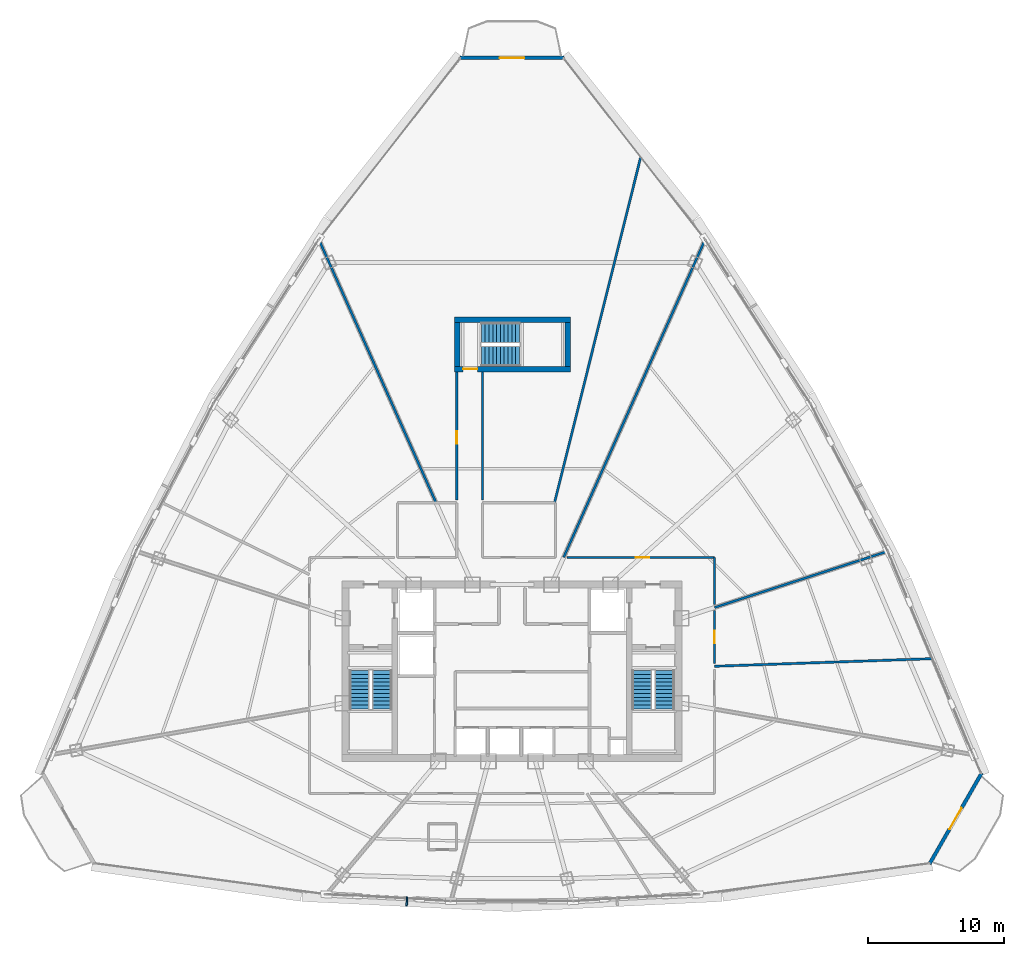
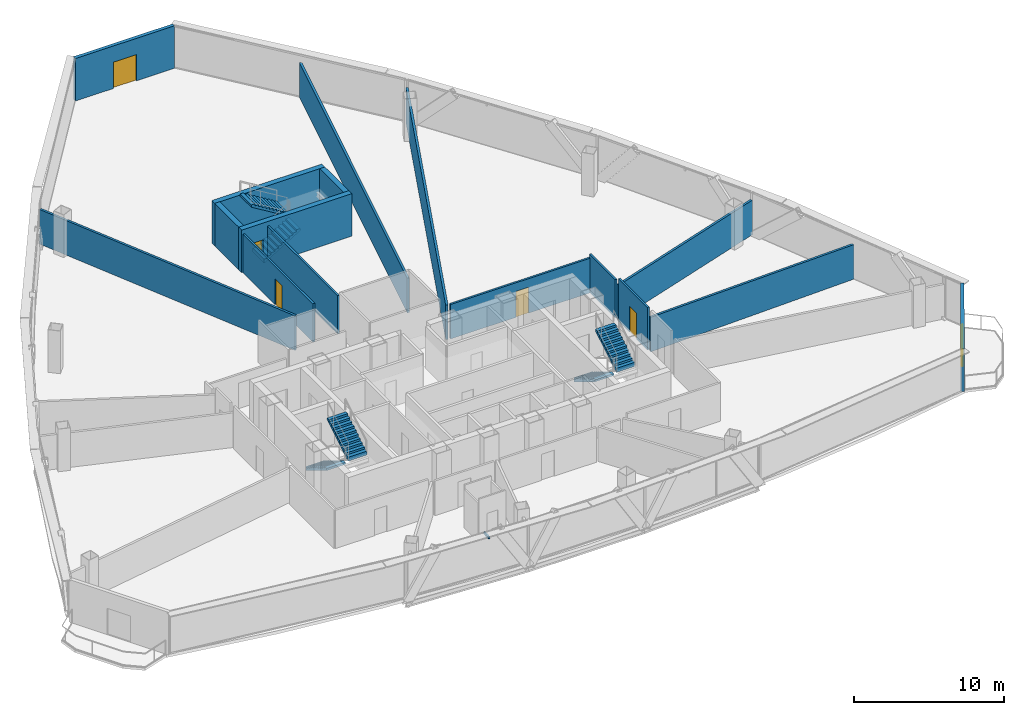
# One storey, part 32 of 37: 16 walls, 6 doors, 6 stair flights, 1 discrete accessory, 6 openings, 3 elements without a shape of their own.
"""IFC4 building model written with IfcOpenShell, lengths in metres."""

import ifcopenshell
import ifcopenshell.guid

model = None  # the IFC model being written
_history = None  # IfcOwnerHistory: only IFC2X3 demands one
_inside = {}  # id of a spatial element -> (the spatial element, [elements in it])
_under = {}  # id of a project, library or spatial element -> (it, [spatial elements below it])
_declared = {}  # id of a project -> (the project, [libraries it declares])
_typed = {}  # id of a type object -> (the type object, [elements of that type])
_made_of = {}  # id of a material, layer set ... -> (it, [elements and type objects made of it])


def new_model(schema):
    """Start an empty IFC model of exactly this schema.

    Asked for "IFC4X3", IfcOpenShell would pick the latest addendum, in which some entities
    have other attributes; the version numbers below select the first issue.
    IFC2X3 requires an IfcOwnerHistory on every rooted entity: one is made here for all.
    """
    global model, _history
    if schema == "IFC4X3":
        model = ifcopenshell.file(schema_version=(4, 3, 0, 0))
    else:
        model = ifcopenshell.file(schema=schema)
    _inside.clear()
    _under.clear()
    _declared.clear()
    _typed.clear()
    _made_of.clear()
    _history = None
    if model.schema == "IFC2X3":
        org = make("IfcOrganization", Name="unknown")
        user = make(
            "IfcPersonAndOrganization",
            ThePerson=make("IfcPerson", FamilyName="unknown"),
            TheOrganization=org,
        )
        app = make(
            "IfcApplication",
            ApplicationDeveloper=org,
            Version="unknown",
            ApplicationFullName="unknown",
            ApplicationIdentifier="unknown",
        )
        _history = make(
            "IfcOwnerHistory",
            OwningUser=user,
            OwningApplication=app,
            ChangeAction="ADDED",
            CreationDate=0,
        )
    return model


def make(cls, **values):
    """One entity of the class cls with the attributes given. An attribute that is None is left unset."""
    return model.create_entity(
        cls, **{name: value for name, value in values.items() if value is not None}
    )


def rooted(cls, **values):
    """An entity with a GlobalId (a new one), such as an element, a storey or a relation."""
    return make(cls, GlobalId=ifcopenshell.guid.new(), OwnerHistory=_history, **values)


def si_unit(unit_type, name, prefix=None):
    """IfcSIUnit, for example si_unit("LENGTHUNIT", "METRE", prefix="MILLI")."""
    return make("IfcSIUnit", UnitType=unit_type, Prefix=prefix, Name=name)


def assignment(units):
    """IfcUnitAssignment: the units of a project."""
    return None if units is None else make("IfcUnitAssignment", Units=units)


def point(xyz):
    """IfcCartesianPoint."""
    return None if xyz is None else make("IfcCartesianPoint", Coordinates=xyz)


def direction(xyz):
    """IfcDirection."""
    return None if xyz is None else make("IfcDirection", DirectionRatios=xyz)


def frame(location, z_axis=None, x_axis=None):
    """IfcAxis2Placement3D, a coordinate frame: its origin and axes. An axis left out is left unset."""
    return make(
        "IfcAxis2Placement3D",
        Location=point(location),
        Axis=direction(z_axis),
        RefDirection=direction(x_axis),
    )


def frame_2d(location, x_axis=None):
    """IfcAxis2Placement2D, a coordinate frame in the plane: its origin and x axis."""
    return make(
        "IfcAxis2Placement2D", Location=point(location), RefDirection=direction(x_axis)
    )


def origin():
    """The frame at (0, 0, 0) with its axes left unset."""
    return frame((0.0, 0.0, 0.0))


def origin_with_axes():
    """The frame at (0, 0, 0) with the z axis (0, 0, 1) and the x axis (1, 0, 0) written out."""
    return frame((0.0, 0.0, 0.0), z_axis=(0.0, 0.0, 1.0), x_axis=(1.0, 0.0, 0.0))


def origin_2d():
    """The frame at (0, 0) in the plane with its x axis left unset."""
    return frame_2d((0.0, 0.0))


def place(relative_to, where):
    """IfcLocalPlacement: puts the frame where relative to a parent placement (None: the world)."""
    return make(
        "IfcLocalPlacement", PlacementRelTo=relative_to, RelativePlacement=where
    )


def context(
    kind, dimensions, precision=None, world=None, true_north=None, identifier=None
):
    """IfcGeometricRepresentationContext, for example the 3D "Model" context."""
    return make(
        "IfcGeometricRepresentationContext",
        ContextIdentifier=identifier,
        ContextType=kind,
        CoordinateSpaceDimension=dimensions,
        Precision=precision,
        WorldCoordinateSystem=world,
        TrueNorth=true_north,
    )


def subcontext(parent, identifier, kind, view, scale=None):
    """IfcGeometricRepresentationSubContext, for example "Body" below "Model"."""
    return make(
        "IfcGeometricRepresentationSubContext",
        ContextIdentifier=identifier,
        ContextType=kind,
        ParentContext=parent,
        TargetScale=scale,
        TargetView=view,
    )


def project(units=None, contexts=None):
    """IfcProject with its units and contexts."""
    return rooted(
        "IfcProject",
        Name="project",
        RepresentationContexts=contexts,
        UnitsInContext=assignment(units),
    )


def spatial(cls, under=None, at=None, **own):
    """A site, building, storey or space (cls), placed at a placement, below another one or the project."""
    s = rooted(cls, ObjectPlacement=at, **own)
    if under is not None:
        _under.setdefault(under.id(), (under, []))[1].append(s)
    return s


def polyline(points):
    """IfcPolyline through the points."""
    return make("IfcPolyline", Points=[point(p) for p in points])


def profile(cls, at=None, kind="AREA", **sizes):
    """A parametric profile (cls). Its sizes go by their IFC names, for example OverallWidth=200.0."""
    return make(cls, ProfileType=kind, Position=at, **sizes)


def rectangle(**sizes):
    """IfcRectangleProfileDef."""
    return profile("IfcRectangleProfileDef", **sizes)


def outline(outer, holes=None, kind="AREA"):
    """IfcArbitraryClosedProfileDef: a profile drawn as a closed curve; with holes, ...WithVoids."""
    if holes is None:
        return make("IfcArbitraryClosedProfileDef", ProfileType=kind, OuterCurve=outer)
    return make(
        "IfcArbitraryProfileDefWithVoids",
        ProfileType=kind,
        OuterCurve=outer,
        InnerCurves=holes,
    )


def extrude(swept, where, along, depth):
    """IfcExtrudedAreaSolid: the profile swept, set in the frame where, extruded along a direction by depth."""
    return make(
        "IfcExtrudedAreaSolid",
        SweptArea=swept,
        Position=where,
        ExtrudedDirection=direction(along),
        Depth=depth,
    )


def shape(context_of_items, identifier, shape_type, items):
    """IfcShapeRepresentation: the items that make up one representation, for example the "Body"."""
    return make(
        "IfcShapeRepresentation",
        ContextOfItems=context_of_items,
        RepresentationIdentifier=identifier,
        RepresentationType=shape_type,
        Items=items,
    )


def source(mapping_origin, context_of_items, identifier, shape_type, items):
    """IfcRepresentationMap: a shape defined once, which mapped items show again and again."""
    return make(
        "IfcRepresentationMap",
        MappingOrigin=mapping_origin,
        MappedRepresentation=shape(context_of_items, identifier, shape_type, items),
    )


def transform(
    local_origin,
    x_axis=None,
    y_axis=None,
    z_axis=None,
    scale=None,
    scale2=None,
    scale3=None,
    uniform=True,
):
    """IfcCartesianTransformationOperator3D, or its non-uniform kind. x_axis, y_axis, z_axis: its Axis1, 2, 3."""
    if uniform:
        return make(
            "IfcCartesianTransformationOperator3D",
            Axis1=direction(x_axis),
            Axis2=direction(y_axis),
            LocalOrigin=point(local_origin),
            Scale=scale,
            Axis3=direction(z_axis),
        )
    return make(
        "IfcCartesianTransformationOperator3DnonUniform",
        Axis1=direction(x_axis),
        Axis2=direction(y_axis),
        LocalOrigin=point(local_origin),
        Scale=scale,
        Axis3=direction(z_axis),
        Scale2=scale2,
        Scale3=scale3,
    )


def mapped(mapping_source, mapping_target):
    """IfcMappedItem: shows the shape of a source again, moved by a transform."""
    return make(
        "IfcMappedItem", MappingSource=mapping_source, MappingTarget=mapping_target
    )


def material(Name=None, Category=None):
    """IfcMaterial."""
    return make("IfcMaterial", Name=Name, Category=Category)


def layer(
    of_material, thickness, ventilated=None, Name=None, Category=None, Priority=None
):
    """IfcMaterialLayer: one layer of a wall or slab, of a material (None: an air gap)."""
    return make(
        "IfcMaterialLayer",
        Material=of_material,
        LayerThickness=thickness,
        IsVentilated=ventilated,
        Name=Name,
        Category=Category,
        Priority=Priority,
    )


def layer_set(layers, Name=None):
    """IfcMaterialLayerSet."""
    return make("IfcMaterialLayerSet", MaterialLayers=layers, LayerSetName=Name)


def made_of(thing, what):
    """Note that an element or type object is made of a material, layer set ...; save() writes the relation."""
    if what is not None:
        _made_of.setdefault(what.id(), (what, []))[1].append(thing)
    return thing


def type_object(cls, material=None, **own):
    """A type object (cls), such as IfcWallType, which elements share."""
    return made_of(rooted(cls, **own), material)


def element(
    cls,
    number,
    at=None,
    inside=None,
    cuts=None,
    type_object=None,
    material=None,
    context=None,
    identifier="Body",
    shape_type=None,
    held_by="IfcProductDefinitionShape",
    body=None,
    shapes=None,
    **own,
):
    """One element of the class cls, such as IfcWall. Its Tag is "e" and its number.

    at: its placement. inside: the storey or other place that contains it. cuts: it is an
    opening in that element (IfcRelVoidsElement). A single representation is given by context,
    identifier, shape_type and body (its items); several are given by shapes. held_by: the class
    of the entity that holds the representations. save() writes the other relations.
    """
    e = rooted(cls, Tag="e%d" % number, ObjectPlacement=at, **own)
    if body is not None:
        shapes = [shape(context, identifier, shape_type, body)]
    if shapes is not None:
        e.Representation = make(held_by, Representations=shapes)
    if inside is not None:
        _inside.setdefault(inside.id(), (inside, []))[1].append(e)
    if cuts is not None:
        rooted(
            "IfcRelVoidsElement", RelatingBuildingElement=cuts, RelatedOpeningElement=e
        )
    if type_object is not None:
        _typed.setdefault(type_object.id(), (type_object, []))[1].append(e)
    return made_of(e, material)


def fill(opening, filler):
    """IfcRelFillsElement: the door or window that sits in an opening."""
    return rooted(
        "IfcRelFillsElement",
        RelatingOpeningElement=opening,
        RelatedBuildingElement=filler,
    )


def aggregate(whole, parts):
    """IfcRelAggregates: a whole, such as a stair, and the parts it consists of."""
    return rooted("IfcRelAggregates", RelatingObject=whole, RelatedObjects=parts)


def save(model, path):
    """Write the relations noted so far, then the file.

    IfcRelAggregates (storeys below a building ...), IfcRelContainedInSpatialStructure (elements
    in a storey), IfcRelDefinesByType, IfcRelAssociatesMaterial and IfcRelDeclares: one each for
    every whole, place, type object, material and project.
    """
    for whole, parts in _under.values():
        aggregate(whole, parts)
    for where, things in _inside.values():
        rooted(
            "IfcRelContainedInSpatialStructure",
            RelatedElements=things,
            RelatingStructure=where,
        )
    for kind, things in _typed.values():
        rooted("IfcRelDefinesByType", RelatedObjects=things, RelatingType=kind)
    for what, things in _made_of.values():
        rooted("IfcRelAssociatesMaterial", RelatedObjects=things, RelatingMaterial=what)
    for by, libraries in _declared.values():
        rooted("IfcRelDeclares", RelatingContext=by, RelatedDefinitions=libraries)
    model.write(path)


model = new_model("IFC4")

# Units and contexts
model_context = context("Model", 3, precision=1e-05, world=origin(), true_north=direction((0.0, 1.0)))
body_context = subcontext(model_context, "Body", "Model", "MODEL_VIEW")
ifc_project = project(units=[si_unit("LENGTHUNIT", "METRE"), si_unit("AREAUNIT", "SQUARE_METRE"), si_unit("VOLUMEUNIT", "CUBIC_METRE"), si_unit("PLANEANGLEUNIT", "RADIAN"), si_unit("MASSUNIT", "GRAM", prefix="KILO"), si_unit("THERMODYNAMICTEMPERATUREUNIT", "KELVIN"), si_unit("POWERUNIT", "WATT")], contexts=[model_context])

# Site, building, storey
site_placement = place(None, origin())
site = spatial("IfcSite", under=ifc_project, at=site_placement, CompositionType="ELEMENT")
building_placement = place(site_placement, origin())
building = spatial("IfcBuilding", under=site, at=building_placement, Name="Yunzhuo Pagoda Commons", CompositionType="ELEMENT")
storey_placement = place(building_placement, frame((0.0, 0.0, 255.719970703125)))
storey = spatial("IfcBuildingStorey", under=building, at=storey_placement, Name="L64", CompositionType="ELEMENT", Elevation=255.719970703125)

# Wall, opening, door
ifc_material_1 = material(Name="Precast concrete C40", Category="concrete")
ifc_layer_1 = layer(ifc_material_1, 0.260009765625)
ifc_layer_set_1 = layer_set([ifc_layer_1], Name="Precast concrete C40")
wall_type_1 = type_object("IfcWallType", Name="W-BAL1 Corner Balcony Threshold Wall 260", PredefinedType="STANDARD", material=ifc_layer_set_1)
wall_1_placement = place(storey_placement, frame((78.593017578125, 19.728515625, 0.0), z_axis=(0.0, 0.0, 1.0), x_axis=(0.497934343816, 0.867214730761, 0.0)))
wall_1 = element("IfcWall", 1, at=wall_1_placement, inside=storey, type_object=wall_type_1, Name="L64 corner balcony wall V2", PredefinedType="STANDARD", context=body_context, shape_type="SweptSolid", body=[
    extrude(rectangle(XDim=7.68359375, YDim=0.260009765625, at=frame_2d((3.841796875, 0.0))), origin(), (0.0, 0.0, 1.0), 3.469970703125),
])
opening_1_placement = place(wall_1_placement, frame((2.94189453125, 0.0, 0.0)))
opening_1 = element("IfcOpeningElement", 2, at=opening_1_placement, cuts=wall_1, Name="Opening D-BAL1", PredefinedType="OPENING", context=body_context, shape_type="SweptSolid", body=[
    extrude(rectangle(XDim=1.800048828125, YDim=2.14990234375, at=frame_2d((0.89990234375, 1.074951171875))), frame((0.0, 0.14013671875, 0.0), z_axis=(0.0, -1.0, 0.0), x_axis=(1.0, 0.0, 0.0)), (0.0, 0.0, 1.0), 0.280029296875),
])
ifc_material_2 = material(Name="Anodized aluminium frame and tempered glazed leaf", Category="aluminium")
door_type_1 = type_object("IfcDoorType", Name="D-BAL1 Corner Balcony Sliding Glazed Door 1800x2150", OperationType="DOUBLE_DOOR_SLIDING", PredefinedType="DOOR", material=ifc_material_2)
shared_shape_1 = source(origin(), body_context, "Body", "SweptSolid", [
    extrude(rectangle(XDim=1.800048828125, YDim=2.14990234375, at=frame_2d((0.89990234375, 1.074951171875))), frame((0.0, 0.02490234375, 0.0), z_axis=(0.0, -1.0, 0.0), x_axis=(1.0, 0.0, 0.0)), (0.0, 0.0, 1.0), 0.050048828125),
])
door_1_placement = place(opening_1_placement, origin_with_axes())
door_1 = element("IfcDoor", 3, at=door_1_placement, inside=storey, type_object=door_type_1, Name="L64 corner balcony sliding door V2", OperationType="DOUBLE_DOOR_SLIDING", OverallHeight=2.14990234375, OverallWidth=1.800048828125, PredefinedType="DOOR", context=body_context, shape_type="MappedRepresentation", body=[
    mapped(shared_shape_1, transform((0.0, 0.0, 0.0), scale=1.0)),
])
fill(opening_1, door_1)

wall_2_placement = place(storey_placement, frame((51.826416015625, 78.797119140625, 0.0), z_axis=(0.0, 0.0, 1.0), x_axis=(-1.0, 0.0, 0.0)))
wall_2 = element("IfcWall", 4, at=wall_2_placement, inside=storey, type_object=wall_type_1, Name="L64 corner balcony wall V3", PredefinedType="STANDARD", context=body_context, shape_type="SweptSolid", body=[
    extrude(rectangle(XDim=7.65283203125, YDim=0.260009765625, at=frame_2d((3.826416015625, 0.0))), origin(), (0.0, 0.0, 1.0), 3.469970703125),
])
opening_2_placement = place(wall_2_placement, frame((2.926513671875, 0.0, 0.0)))
opening_2 = element("IfcOpeningElement", 5, at=opening_2_placement, cuts=wall_2, Name="Opening D-BAL1", PredefinedType="OPENING", context=body_context, shape_type="SweptSolid", body=[
    extrude(rectangle(XDim=1.800048828125, YDim=2.14990234375, at=frame_2d((0.89990234375, 1.074951171875))), frame((0.0, 0.14013671875, 0.0), z_axis=(0.0, -1.0, 0.0), x_axis=(1.0, 0.0, 0.0)), (0.0, 0.0, 1.0), 0.280029296875),
])
door_2_placement = place(opening_2_placement, origin_with_axes())
door_2 = element("IfcDoor", 6, at=door_2_placement, inside=storey, type_object=door_type_1, Name="L64 corner balcony sliding door V3", OperationType="DOUBLE_DOOR_SLIDING", OverallHeight=2.14990234375, OverallWidth=1.800048828125, PredefinedType="DOOR", context=body_context, shape_type="MappedRepresentation", body=[
    mapped(shared_shape_1, transform((0.0, 0.0, 0.0), scale=1.0)),
])
fill(opening_2, door_2)

ifc_material_3 = material(Name="Gypsum plasterboard on acoustic stud")
ifc_layer_2 = layer(ifc_material_3, 0.14990234375)
ifc_layer_set_2 = layer_set([ifc_layer_2], Name="Gypsum plasterboard on acoustic stud")
wall_type_2 = type_object("IfcWallType", Name="W-COR3 High-Zone Rated Corridor Wall 150", PredefinedType="PARTITIONING", material=ifc_layer_set_2)
wall_3_placement = place(storey_placement, frame((43.949951171875, 46.419921875, 0.0), z_axis=(0.0, 0.0, 1.0), x_axis=(0.0, 1.0, 0.0)))
wall_3 = element("IfcWall", 7, at=wall_3_placement, inside=storey, type_object=wall_type_2, Name="L64 interior wall IW-L64-CWL06", PredefinedType="PARTITIONING", context=body_context, shape_type="SweptSolid", body=[
    extrude(rectangle(XDim=9.360107421875, YDim=0.14990234375, at=frame_2d((4.68017578125, 0.0))), origin(), (0.0, 0.0, 1.0), 3.1201171875),
])
opening_3_placement = place(wall_3_placement, frame((4.110107421875, 0.0, 0.0)))
opening_3 = element("IfcOpeningElement", 8, at=opening_3_placement, cuts=wall_3, Name="Opening D-04", PredefinedType="OPENING", context=body_context, shape_type="SweptSolid", body=[
    extrude(rectangle(XDim=0.919921875, YDim=2.10009765625, at=frame_2d((0.4599609375, 1.050048828125))), frame((0.0, 0.0849609375, 0.0), z_axis=(0.0, -1.0, 0.0), x_axis=(1.0, 0.0, 0.0)), (0.0, 0.0, 1.0), 0.169921875),
])
ifc_material_4 = material(Name="Powder-coated aluminium and timber acoustic leaf", Category="wood")
door_type_2 = type_object("IfcDoorType", Name="D-04 Bedroom & Study Interior Door 920x2100", OperationType="NOTDEFINED", PredefinedType="DOOR", material=ifc_material_4)
shared_shape_2 = source(origin(), body_context, "Body", "SweptSolid", [
    extrude(rectangle(XDim=0.919921875, YDim=2.10009765625, at=frame_2d((0.4599609375, 1.050048828125))), frame((0.0, 0.02490234375, 0.0), z_axis=(0.0, -1.0, 0.0), x_axis=(1.0, 0.0, 0.0)), (0.0, 0.0, 1.0), 0.050048828125),
])
door_3_placement = place(opening_3_placement, origin_with_axes())
door_3 = element("IfcDoor", 9, at=door_3_placement, inside=storey, type_object=door_type_2, Name="L64 seminar room 04 door", OperationType="SINGLE_SWING_RIGHT", OverallHeight=2.10009765625, OverallWidth=0.919921875, PredefinedType="DOOR", context=body_context, shape_type="MappedRepresentation", body=[
    mapped(shared_shape_2, transform((0.0, 0.0, 0.0), scale=1.0)),
])
fill(opening_3, door_3)

# Wall
wall_4_placement = place(storey_placement, frame((45.85009765625, 55.780029296875, 0.0), z_axis=(0.0, 0.0, 1.0), x_axis=(0.0, -1.0, 0.0)))
element("IfcWall", 10, at=wall_4_placement, inside=storey, type_object=wall_type_2, Name="L64 interior wall IW-L64-CWL07", PredefinedType="PARTITIONING", context=body_context, shape_type="SweptSolid", body=[
    extrude(rectangle(XDim=9.360107421875, YDim=0.14990234375, at=frame_2d((4.68017578125, 0.0))), origin(), (0.0, 0.0, 1.0), 3.1201171875),
])

# Wall, opening, door
wall_5_placement = place(storey_placement, frame((52.025146484375, 42.199951171875, 0.0), z_axis=(0.0, 0.0, 1.0), x_axis=(1.0, 0.0, 0.0)))
wall_5 = element("IfcWall", 11, at=wall_5_placement, inside=storey, type_object=wall_type_2, Name="L64 interior wall IW-L64-CWL08", PredefinedType="PARTITIONING", context=body_context, shape_type="SweptSolid", body=[
    extrude(rectangle(XDim=10.824951171875, YDim=0.14990234375, at=frame_2d((5.41259765625, 0.0))), origin(), (0.0, 0.0, 1.0), 2.820068359375),
])
opening_4_placement = place(wall_5_placement, frame((5.047119140625, 0.0, 0.0)))
opening_4 = element("IfcOpeningElement", 12, at=opening_4_placement, cuts=wall_5, Name="Opening D-08", PredefinedType="OPENING", context=body_context, shape_type="SweptSolid", body=[
    extrude(rectangle(XDim=0.97998046875, YDim=2.1201171875, at=frame_2d((0.489990234375, 1.06005859375))), frame((0.0, 0.0849609375, 0.0), z_axis=(0.0, -1.0, 0.0), x_axis=(1.0, 0.0, 0.0)), (0.0, 0.0, 1.0), 0.169921875),
])
ifc_material_5 = material(Name="Galvanized fire-resisting metal leaf")
door_type_3 = type_object("IfcDoorType", Name="D-08 High-Zone Suite Entrance Fire Door 980x2120", OperationType="NOTDEFINED", PredefinedType="DOOR", material=ifc_material_5)
shared_shape_3 = source(origin(), body_context, "Body", "SweptSolid", [
    extrude(rectangle(XDim=0.97998046875, YDim=2.1201171875, at=frame_2d((0.489990234375, 1.06005859375))), frame((0.0, 0.02490234375, 0.0), z_axis=(0.0, -1.0, 0.0), x_axis=(1.0, 0.0, 0.0)), (0.0, 0.0, 1.0), 0.050048828125),
])
door_4_placement = place(opening_4_placement, origin_with_axes())
door_4 = element("IfcDoor", 13, at=door_4_placement, inside=storey, type_object=door_type_3, Name="L64 Shared Resident Kitchen and Pantry door", OperationType="SINGLE_SWING_RIGHT", OverallHeight=2.1201171875, OverallWidth=0.97998046875, PredefinedType="DOOR", context=body_context, shape_type="MappedRepresentation", body=[
    mapped(shared_shape_3, transform((0.0, 0.0, 0.0), scale=1.0)),
])
fill(opening_4, door_4)

# Wall
wall_6_placement = place(storey_placement, frame((62.85009765625, 42.199951171875, 0.0), z_axis=(0.0, 0.0, 1.0), x_axis=(0.0, -1.0, 0.0)))
element("IfcWall", 14, at=wall_6_placement, inside=storey, type_object=wall_type_2, Name="L64 interior wall IW-L64-CWL09", PredefinedType="PARTITIONING", context=body_context, shape_type="SweptSolid", body=[
    extrude(rectangle(XDim=3.443603515625, YDim=0.14990234375, at=frame_2d((1.7216796875, 0.0))), origin(), (0.0, 0.0, 1.0), 3.1201171875),
])

# Wall, opening, door
wall_7_placement = place(storey_placement, frame((62.85009765625, 38.305419921875, 0.0), z_axis=(0.0, 0.0, 1.0), x_axis=(0.0, -1.0, 0.0)))
wall_7 = element("IfcWall", 15, at=wall_7_placement, inside=storey, type_object=wall_type_2, Name="L64 interior wall IW-L64-CWL10", PredefinedType="PARTITIONING", context=body_context, shape_type="SweptSolid", body=[
    extrude(rectangle(XDim=3.86669921875, YDim=0.14990234375, at=frame_2d((1.933349609375, 0.0))), origin(), (0.0, 0.0, 1.0), 3.469970703125),
])
opening_5_placement = place(wall_7_placement, frame((1.473388671875, 0.0, 0.0)))
opening_5 = element("IfcOpeningElement", 16, at=opening_5_placement, cuts=wall_7, Name="Opening D-04", PredefinedType="OPENING", context=body_context, shape_type="SweptSolid", body=[
    extrude(rectangle(XDim=0.919921875, YDim=2.10009765625, at=frame_2d((0.4599609375, 1.050048828125))), frame((0.0, 0.0849609375, 0.0), z_axis=(0.0, -1.0, 0.0), x_axis=(1.0, 0.0, 0.0)), (0.0, 0.0, 1.0), 0.169921875),
])
door_5_placement = place(opening_5_placement, origin_with_axes())
door_5 = element("IfcDoor", 17, at=door_5_placement, inside=storey, type_object=door_type_2, Name="L64 seminar room 01 door", OperationType="SINGLE_SWING_LEFT", OverallHeight=2.10009765625, OverallWidth=0.919921875, PredefinedType="DOOR", context=body_context, shape_type="MappedRepresentation", body=[
    mapped(shared_shape_2, transform((0.0, 0.0, 0.0), scale=1.0)),
])
fill(opening_5, door_5)

# Walls
ifc_layer_3 = layer(ifc_material_3, 0.169921875)
ifc_layer_set_3 = layer_set([ifc_layer_3], Name="Gypsum plasterboard on acoustic stud")
wall_type_3 = type_object("IfcWallType", Name="W-PRT4 High-Zone Demising Wall 170", PredefinedType="PARTITIONING", material=ifc_layer_set_3)
wall_8_placement = place(storey_placement, frame((62.85009765625, 34.218505859375, 0.0), z_axis=(0.0, 0.0, 1.0), x_axis=(0.99939049717, 0.034908941063, 0.0)))
element("IfcWall", 18, at=wall_8_placement, inside=storey, type_object=wall_type_3, Name="L64 interior wall IW-L64-RAD01", PredefinedType="PARTITIONING", context=body_context, shape_type="SweptSolid", body=[
    extrude(rectangle(XDim=16.00146484375, YDim=0.169921875, at=frame_2d((8.000732421875, 0.0))), origin(), (0.0, 0.0, 1.0), 2.820068359375),
])
wall_9_placement = place(storey_placement, frame((62.85009765625, 38.525146484375, 0.0), z_axis=(0.0, 0.0, 1.0), x_axis=(0.951055435747, 0.30902031994, 0.0)))
element("IfcWall", 19, at=wall_9_placement, inside=storey, type_object=wall_type_3, Name="L64 interior wall IW-L64-RAD02", PredefinedType="PARTITIONING", context=body_context, shape_type="SweptSolid", body=[
    extrude(rectangle(XDim=13.349365234375, YDim=0.169921875, at=frame_2d((6.6748046875, 0.0))), origin(), (0.0, 0.0, 1.0), 2.820068359375),
])
wall_10_placement = place(storey_placement, frame((51.784423828125, 42.199951171875, 0.0), z_axis=(0.0, 0.0, 1.0), x_axis=(0.406736188948, 0.913545659833, 0.0)))
element("IfcWall", 20, at=wall_10_placement, inside=storey, type_object=wall_type_3, Name="L64 interior wall IW-L64-RAD03", PredefinedType="PARTITIONING", context=body_context, shape_type="SweptSolid", body=[
    extrude(rectangle(XDim=25.501220703125, YDim=0.169921875, at=frame_2d((12.75048828125, 0.0))), origin(), (0.0, 0.0, 1.0), 2.820068359375),
])
wall_11_placement = place(storey_placement, frame((51.11669921875, 46.199951171875, 0.0), z_axis=(0.0, 0.0, 1.0), x_axis=(0.241915360039, 0.970297355751, 0.0)))
element("IfcWall", 21, at=wall_11_placement, inside=storey, type_object=wall_type_3, Name="L64 interior wall IW-L64-RAD04", PredefinedType="PARTITIONING", context=body_context, shape_type="SweptSolid", body=[
    extrude(rectangle(XDim=26.119140625, YDim=0.169921875, at=frame_2d((13.0595703125, 0.0))), origin(), (0.0, 0.0, 1.0), 2.820068359375),
])
wall_12_placement = place(storey_placement, frame((42.4345703125, 46.199951171875, 0.0), z_axis=(0.0, 0.0, 1.0), x_axis=(-0.406732494706, 0.913547304605, 0.0)))
element("IfcWall", 22, at=wall_12_placement, inside=storey, type_object=wall_type_3, Name="L64 interior wall IW-L64-RAD05", PredefinedType="PARTITIONING", context=body_context, shape_type="SweptSolid", body=[
    extrude(rectangle(XDim=21.122802734375, YDim=0.169921875, at=frame_2d((10.5615234375, 0.0))), origin(), (0.0, 0.0, 1.0), 2.820068359375),
])
ifc_material_6 = material(Name="Concrete C60", Category="concrete")
ifc_layer_4 = layer(ifc_material_6, 0.39990234375)
ifc_layer_set_4 = layer_set([ifc_layer_4], Name="Concrete C60")
wall_type_4 = type_object("IfcWallType", Name="W-S01 Internal Core Shear Web 400", PredefinedType="SHEAR", material=ifc_layer_set_4)
wall_13_placement = place(storey_placement, frame((43.800048828125, 59.60009765625, 0.0), z_axis=(0.0, 0.0, 1.0), x_axis=(1.0, 0.0, 0.0)))
element("IfcWall", 23, at=wall_13_placement, inside=storey, type_object=wall_type_4, Name="L64 ST3 structural stair wall N", PredefinedType="SHEAR", context=body_context, shape_type="SweptSolid", body=[
    extrude(rectangle(XDim=8.5, YDim=0.39990234375, at=frame_2d((4.25, 0.0))), origin(), (0.0, 0.0, 1.0), 3.469970703125),
])

# Wall, opening, door
wall_14_placement = place(storey_placement, frame((43.800048828125, 56.0, 0.0), z_axis=(0.0, 0.0, 1.0), x_axis=(1.0, 0.0, 0.0)))
wall_14 = element("IfcWall", 24, at=wall_14_placement, inside=storey, type_object=wall_type_4, Name="L64 ST3 structural stair wall S", PredefinedType="SHEAR", context=body_context, shape_type="SweptSolid", body=[
    extrude(rectangle(XDim=8.5, YDim=0.39990234375, at=frame_2d((4.25, 0.0))), origin(), (0.0, 0.0, 1.0), 3.469970703125),
])
opening_6_placement = place(wall_14_placement, frame((0.6201171875, 0.0, 0.0)))
opening_6 = element("IfcOpeningElement", 25, at=opening_6_placement, cuts=wall_14, Name="Opening D-01", PredefinedType="OPENING", context=body_context, shape_type="SweptSolid", body=[
    extrude(rectangle(XDim=1.050048828125, YDim=2.10009765625, at=frame_2d((0.52490234375, 1.050048828125))), frame((0.0, 0.2099609375, 0.0), z_axis=(0.0, -1.0, 0.0), x_axis=(1.0, 0.0, 0.0)), (0.0, 0.0, 1.0), 0.419921875),
])
door_type_4 = type_object("IfcDoorType", Name="D-01 Smokeproof Stair Fire Door 1050x2100", OperationType="NOTDEFINED", PredefinedType="DOOR", material=ifc_material_5)
shared_shape_4 = source(origin(), body_context, "Body", "SweptSolid", [
    extrude(rectangle(XDim=1.050048828125, YDim=2.10009765625, at=frame_2d((0.52490234375, 1.050048828125))), frame((0.0, 0.02490234375, 0.0), z_axis=(0.0, -1.0, 0.0), x_axis=(1.0, 0.0, 0.0)), (0.0, 0.0, 1.0), 0.050048828125),
])
door_6_placement = place(opening_6_placement, frame((1.050048828125, 0.0, 0.0), z_axis=(0.0, 0.0, 1.0), x_axis=(-1.0, 0.0, 0.0)))
door_6 = element("IfcDoor", 26, at=door_6_placement, inside=storey, type_object=door_type_4, Name="L64 Stair ST3 fire door", OperationType="SINGLE_SWING_LEFT", OverallHeight=2.10009765625, OverallWidth=1.050048828125, PredefinedType="DOOR", context=body_context, shape_type="MappedRepresentation", body=[
    mapped(shared_shape_4, transform((0.0, 0.0, 0.0), scale=1.0)),
])
fill(opening_6, door_6)

# Walls
for number, where, z_axis, x_axis, name in (
    (27, (44.0, 56.199951171875, 0.0), (0.0, 0.0, 1.0), (0.0, 1.0, 0.0), "L64 ST3 structural stair wall W"),
    (28, (52.10009765625, 56.199951171875, 0.0), (0.0, 0.0, 1.0), (0.0, 1.0, 0.0), "L64 ST3 structural stair wall E"),
):
    element("IfcWall", number, at=place(storey_placement, frame(where, z_axis=z_axis, x_axis=x_axis)), inside=storey, type_object=wall_type_4, Name=name, PredefinedType="SHEAR", context=body_context, shape_type="SweptSolid", body=[
        extrude(rectangle(XDim=3.199951171875, YDim=0.39990234375, at=frame_2d((1.60009765625, 0.0))), origin(), (0.0, 0.0, 1.0), 3.469970703125),
    ])

# Stair, stair flights
ifc_material_7 = material(Name="Concrete C40", Category="concrete")
stair_type_1 = type_object("IfcStairType", Name="ST-C1 Core Smokeproof Stair ST1", PredefinedType="HALF_TURN_STAIR", material=ifc_material_7)
stair_1_placement = place(storey_placement, origin())
stair_1 = element("IfcStair", 29, at=stair_1_placement, inside=storey, type_object=stair_type_1, Name="L64 Core smokeproof stair ST1", PredefinedType="HALF_TURN_STAIR")
stair_flight_type_1 = type_object("IfcStairFlightType", Name="STF-C1 Core Stair Flight 1450", PredefinedType="STRAIGHT", material=ifc_material_7)
shared_shape_5 = source(origin(), body_context, "Body", "SweptSolid", [
    extrude(outline(polyline([(0.0, -0.14990234375), (0.0, 0.0), (0.0, 0.16943359375), (0.280029296875, 0.16943359375), (0.280029296875, 0.339111328125), (0.56005859375, 0.339111328125), (0.56005859375, 0.508544921875), (0.840087890625, 0.508544921875), (0.840087890625, 0.67822265625), (1.1201171875, 0.67822265625), (1.1201171875, 0.84765625), (1.39990234375, 0.84765625), (1.39990234375, 1.017333984375), (1.679931640625, 1.017333984375), (1.679931640625, 1.186767578125), (1.9599609375, 1.186767578125), (1.9599609375, 1.3564453125), (2.239990234375, 1.3564453125), (2.239990234375, 1.52587890625), (2.52001953125, 1.52587890625), (2.52001953125, 1.695556640625), (2.800048828125, 1.695556640625), (2.800048828125, 1.864990234375), (2.800048828125, 1.520263671875), (0.289306640625, 0.0), (0.050048828125, -0.14990234375), (0.0, -0.14990234375)])), frame((0.0, 0.72509765625, 0.0), z_axis=(0.0, -1.0, 0.0), x_axis=(1.0, 0.0, 0.0)), (0.0, 0.0, 1.0), 1.449951171875),
])
stair_flight_1_placement = place(storey_placement, frame((36.824951171875, 33.89990234375, 0.0), z_axis=(0.0, 0.0, 1.0), x_axis=(0.0, -1.0, 0.0)))
stair_flight_1 = element("IfcStairFlight", 30, at=stair_flight_1_placement, type_object=stair_flight_type_1, Name="ST1 flight 1", NumberOfRisers=11, NumberOfTreads=10, PredefinedType="STRAIGHT", RiserHeight=0.169545455, TreadLength=0.28, context=body_context, shape_type="MappedRepresentation", body=[
    mapped(shared_shape_5, transform((0.0, 0.0, 0.0), scale=1.0)),
])
stair_flight_2_placement = place(storey_placement, frame((38.47509765625, 31.10009765625, 1.864990234375), z_axis=(0.0, 0.0, 1.0), x_axis=(0.0, 1.0, 0.0)))
stair_flight_2 = element("IfcStairFlight", 31, at=stair_flight_2_placement, type_object=stair_flight_type_1, Name="ST1 flight 2", NumberOfRisers=11, NumberOfTreads=10, PredefinedType="STRAIGHT", RiserHeight=0.169545455, TreadLength=0.28, context=body_context, shape_type="MappedRepresentation", body=[
    mapped(shared_shape_5, transform((0.0, 0.0, 0.0), scale=1.0)),
])
aggregate(stair_1, [stair_flight_1, stair_flight_2])

stair_type_2 = type_object("IfcStairType", Name="ST-C2 Core Smokeproof Stair ST2", PredefinedType="HALF_TURN_STAIR", material=ifc_material_7)
stair_2_placement = place(storey_placement, origin())
stair_2 = element("IfcStair", 32, at=stair_2_placement, inside=storey, type_object=stair_type_2, Name="L64 Core smokeproof stair ST2", PredefinedType="HALF_TURN_STAIR")
stair_flight_type_2 = type_object("IfcStairFlightType", Name="STF-C2 Core Stair Flight 1460", PredefinedType="STRAIGHT", material=ifc_material_7)
stair_flight_3_placement = place(storey_placement, frame((57.52490234375, 33.89990234375, 0.0), z_axis=(0.0, 0.0, 1.0), x_axis=(0.0, -1.0, 0.0)))
stair_flight_3 = element("IfcStairFlight", 33, at=stair_flight_3_placement, type_object=stair_flight_type_2, Name="ST2 flight 1", NumberOfRisers=11, NumberOfTreads=10, PredefinedType="STRAIGHT", RiserHeight=0.169545455, TreadLength=0.28, context=body_context, shape_type="MappedRepresentation", body=[
    mapped(shared_shape_5, transform((0.0, 0.0, 0.0), scale=1.0)),
])
stair_flight_4_placement = place(storey_placement, frame((59.175048828125, 31.10009765625, 1.864990234375), z_axis=(0.0, 0.0, 1.0), x_axis=(0.0, 1.0, 0.0)))
stair_flight_4 = element("IfcStairFlight", 34, at=stair_flight_4_placement, type_object=stair_flight_type_2, Name="ST2 flight 2", NumberOfRisers=11, NumberOfTreads=10, PredefinedType="STRAIGHT", RiserHeight=0.169545455, TreadLength=0.28, context=body_context, shape_type="MappedRepresentation", body=[
    mapped(shared_shape_5, transform((0.0, 0.0, 0.0), scale=1.0)),
])
aggregate(stair_2, [stair_flight_3, stair_flight_4])

stair_type_3 = type_object("IfcStairType", Name="ST-C3 North Tower Smokeproof Stair ST3", PredefinedType="HALF_TURN_STAIR", material=ifc_material_7)
stair_3_placement = place(storey_placement, origin())
stair_3 = element("IfcStair", 35, at=stair_3_placement, inside=storey, type_object=stair_type_3, Name="L64 North tower smokeproof stair ST3", PredefinedType="HALF_TURN_STAIR")
stair_flight_type_3 = type_object("IfcStairFlightType", Name="STF-C3 North Stair Flight 1500", PredefinedType="STRAIGHT", material=ifc_material_7)
shared_shape_6 = source(origin(), body_context, "Body", "SweptSolid", [
    extrude(outline(polyline([(0.0, -0.14990234375), (0.0, 0.0), (0.0, 0.16943359375), (0.280029296875, 0.16943359375), (0.280029296875, 0.339111328125), (0.56005859375, 0.339111328125), (0.56005859375, 0.508544921875), (0.840087890625, 0.508544921875), (0.840087890625, 0.67822265625), (1.1201171875, 0.67822265625), (1.1201171875, 0.84765625), (1.39990234375, 0.84765625), (1.39990234375, 1.017333984375), (1.679931640625, 1.017333984375), (1.679931640625, 1.186767578125), (1.9599609375, 1.186767578125), (1.9599609375, 1.3564453125), (2.239990234375, 1.3564453125), (2.239990234375, 1.52587890625), (2.52001953125, 1.52587890625), (2.52001953125, 1.695556640625), (2.800048828125, 1.695556640625), (2.800048828125, 1.864990234375), (2.800048828125, 1.520263671875), (0.289306640625, 0.0), (0.050048828125, -0.14990234375), (0.0, -0.14990234375)])), frame((0.0, 0.75, 0.0), z_axis=(0.0, -1.0, 0.0), x_axis=(1.0, 0.0, 0.0)), (0.0, 0.0, 1.0), 1.5),
])
stair_flight_5_placement = place(storey_placement, frame((45.75, 56.949951171875, 0.0), z_axis=(0.0, 0.0, 1.0), x_axis=(1.0, 0.0, 0.0)))
stair_flight_5 = element("IfcStairFlight", 36, at=stair_flight_5_placement, type_object=stair_flight_type_3, Name="ST3 flight 1", NumberOfRisers=11, NumberOfTreads=10, PredefinedType="STRAIGHT", RiserHeight=0.169545455, TreadLength=0.28, context=body_context, shape_type="MappedRepresentation", body=[
    mapped(shared_shape_6, transform((0.0, 0.0, 0.0), scale=1.0)),
])
stair_flight_6_placement = place(storey_placement, frame((48.550048828125, 58.64990234375, 1.864990234375), z_axis=(0.0, 0.0, 1.0), x_axis=(-1.0, 0.0, 0.0)))
stair_flight_6 = element("IfcStairFlight", 37, at=stair_flight_6_placement, type_object=stair_flight_type_3, Name="ST3 flight 2", NumberOfRisers=11, NumberOfTreads=10, PredefinedType="STRAIGHT", RiserHeight=0.169545455, TreadLength=0.28, context=body_context, shape_type="MappedRepresentation", body=[
    mapped(shared_shape_6, transform((0.0, 0.0, 0.0), scale=1.0)),
])
aggregate(stair_3, [stair_flight_5, stair_flight_6])

# Discrete accessory
ifc_material_8 = material(Name="Anodized aluminium 6063-T6", Category="aluminium")
discrete_accessory_type = type_object("IfcDiscreteAccessoryType", Name="BK-SUN1 Sunshade Outrigger Bracket", PredefinedType="BRACKET", material=ifc_material_8)
shared_shape_7 = source(origin(), body_context, "Body", "SweptSolid", [
    extrude(rectangle(XDim=0.1201171875, YDim=0.679931640625, at=origin_2d()), origin(), (0.0, 0.0, 1.0), 0.179931640625),
])
discrete_accessory_placement = place(storey_placement, frame((40.295166015625, 16.972900390625, 3.26025390625), z_axis=(0.0, 0.0, 1.0), x_axis=(0.998818043775, -0.04860571396, 0.0)))
element("IfcDiscreteAccessory", 38, at=discrete_accessory_placement, inside=storey, type_object=discrete_accessory_type, Name="L64 sunshade outrigger bracket F1.2", PredefinedType="BRACKET", context=body_context, shape_type="MappedRepresentation", body=[
    mapped(shared_shape_7, transform((0.0, 0.0, 0.0), scale=1.0)),
])

save(model, "model.ifc")
